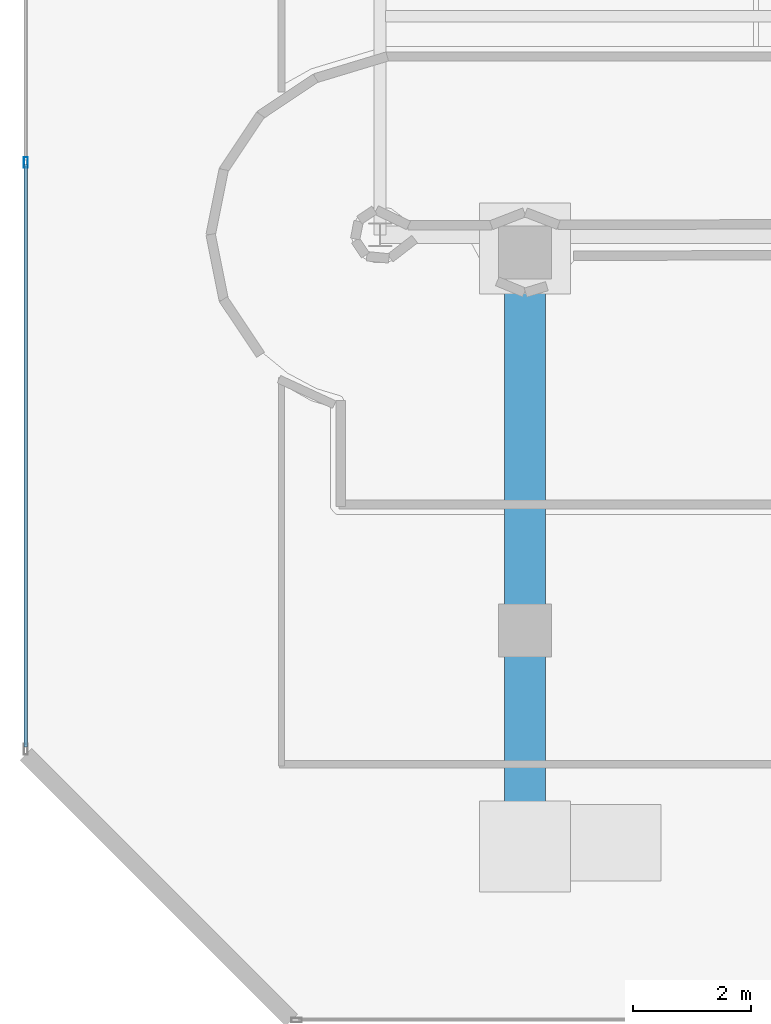
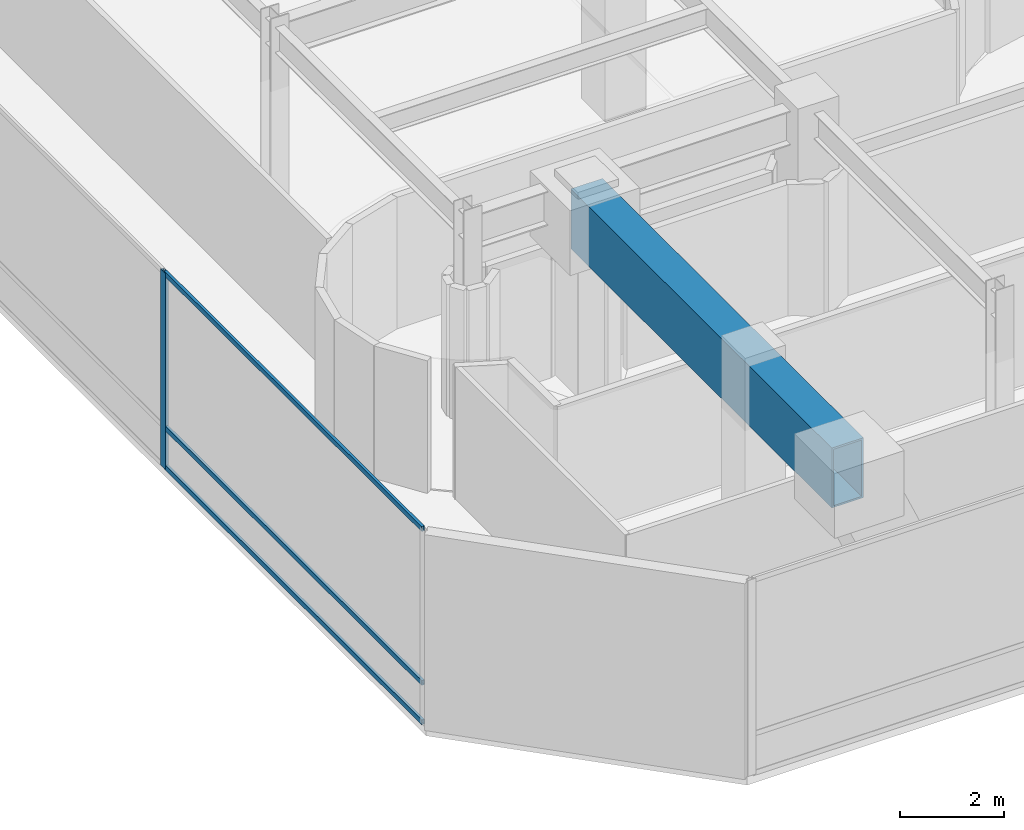
# One storey, part 6 of 45: 4 members, 1 beam, 1 element without a shape of its own.
"""IFC4 building model written with IfcOpenShell, lengths in metres."""

from ifc_helpers import new_model, si_unit, direction, frame, origin, origin_2d, place, context, subcontext, project, spatial, hollow_rectangle, extrude, material, layer, layer_set, material_profile, profile_set, type_object, element, aggregate, save


model = new_model("IFC4")

# Units and contexts
model_context = context("Model", 3, precision=1e-05, world=origin(), true_north=direction((0.0, 1.0)))
body_context = subcontext(model_context, "Body", "Model", "MODEL_VIEW")
ifc_project = project(units=[si_unit("LENGTHUNIT", "METRE"), si_unit("AREAUNIT", "SQUARE_METRE"), si_unit("VOLUMEUNIT", "CUBIC_METRE"), si_unit("PLANEANGLEUNIT", "RADIAN"), si_unit("MASSUNIT", "GRAM", prefix="KILO")], contexts=[model_context])

# Site, building, storey
site_placement = place(None, origin())
site = spatial("IfcSite", under=ifc_project, at=site_placement, CompositionType="ELEMENT")
building_placement = place(site_placement, origin())
building = spatial("IfcBuilding", under=site, at=building_placement, Name="Qianvela Tower", CompositionType="ELEMENT")
storey_placement = place(building_placement, frame((0.0, 0.0, 11.0)))
storey = spatial("IfcBuildingStorey", under=building, at=storey_placement, Name="L02", CompositionType="ELEMENT", Elevation=11.0)

# Beam
ifc_material_1 = material(Name="Steel Q420GJC", Category="steel")
ifc_material_profile_1 = material_profile(ifc_material_1, hollow_rectangle(XDim=0.699951171875, YDim=1.39990234375, WallThickness=0.0400390625, at=origin_2d()), Name="TG-BOX-1400x700x40")
ifc_profile_set_1 = profile_set([ifc_material_profile_1], Name="Steel Q420GJC")
beam_type = type_object("IfcBeamType", Name="BM-TG-STEP-1400", PredefinedType="BEAM", material=ifc_profile_set_1)
beam_placement = place(storey_placement, frame((9.955322265625, 14.5, 3.8779296875), z_axis=(0.0, -1.0, 0.0), x_axis=(1.0, 0.0, 0.0)))
element("IfcBeam", 1, at=beam_placement, inside=storey, type_object=beam_type, Name="L02 Concourse V-Cap Transfer Girder VC-S1-L", PredefinedType="BEAM", context=body_context, shape_type="SweptSolid", body=[
    extrude(hollow_rectangle(XDim=0.699951171875, YDim=1.39990234375, WallThickness=0.0400390625, at=origin_2d()), origin(), (0.0, 0.0, 1.0), 10.0),
])

# Curtain wall, members
ifc_material_2 = material(Name="Anodised Architectural Aluminium and Low-E Glass", Category="aluminium")
ifc_layer = layer(ifc_material_2, 0.179931640625)
ifc_layer_set = layer_set([ifc_layer], Name="Anodised Architectural Aluminium and Low-E Glass")
curtain_wall_type = type_object("IfcCurtainWallType", Name="CW-COMMONS", PredefinedType="USERDEFINED", material=ifc_layer_set)
curtain_wall_placement = place(storey_placement, origin())
curtain_wall = element("IfcCurtainWall", 2, at=curtain_wall_placement, inside=storey, type_object=curtain_wall_type, Name="L02 CW-COMMONS Curtain Wall 07", ObjectType="CURTAIN_WALL_SYSTEM", PredefinedType="USERDEFINED")
ifc_material_3 = material(Name="Anodised Architectural Aluminium 6063-T6", Category="aluminium")
ifc_material_profile_2 = material_profile(ifc_material_3, hollow_rectangle(XDim=0.070068359375, YDim=0.179931640625, WallThickness=0.0048828125, at=origin_2d()), Name="ALU-MULL-70x180")
ifc_profile_set_2 = profile_set([ifc_material_profile_2], Name="Anodised Architectural Aluminium 6063-T6")
member_type_1 = type_object("IfcMemberType", Name="CW-COMMONS-MULL", PredefinedType="MULLION", material=ifc_profile_set_2)
member_1_placement = place(storey_placement, frame((1.5, 16.02490234375, 0.0), z_axis=(0.0, 0.0, 1.0), x_axis=(1.0, 0.0, 0.0)))
member_1 = element("IfcMember", 3, at=member_1_placement, type_object=member_type_1, Name="CW-2 mullion 4", PredefinedType="MULLION", context=body_context, shape_type="SweptSolid", body=[
    extrude(hollow_rectangle(XDim=0.070068359375, YDim=0.179931640625, WallThickness=0.0048828125, at=origin_2d()), origin(), (0.0, 0.0, 1.0), 4.580078125),
])
ifc_material_4 = material(Name="Anodised Architectural Aluminium 6063-T6", Category="aluminium")
ifc_material_profile_3 = material_profile(ifc_material_4, hollow_rectangle(XDim=0.06005859375, YDim=0.114990234375, WallThickness=0.00390625, at=origin_2d()), Name="ALU-TRAN-60x115")
ifc_profile_set_3 = profile_set([ifc_material_profile_3], Name="Anodised Architectural Aluminium 6063-T6")
member_type_2 = type_object("IfcMemberType", Name="CW-COMMONS-TRAN", PredefinedType="USERDEFINED", material=ifc_profile_set_3)
member_2_placement = place(storey_placement, frame((1.5, 15.989990234375, 0.030029296875), z_axis=(0.0, -1.0, 0.0), x_axis=(1.0, 0.0, 0.0)))
member_2 = element("IfcMember", 4, at=member_2_placement, type_object=member_type_2, Name="CW-2 transom 4.1", ObjectType="TRANSOM", PredefinedType="USERDEFINED", context=body_context, shape_type="SweptSolid", body=[
    extrude(hollow_rectangle(XDim=0.06005859375, YDim=0.114990234375, WallThickness=0.00390625, at=origin_2d()), origin(), (0.0, 0.0, 1.0), 9.869873046875),
])
member_3_placement = place(storey_placement, frame((1.5, 15.989990234375, 0.949951171875), z_axis=(0.0, -1.0, 0.0), x_axis=(1.0, 0.0, 0.0)))
member_3 = element("IfcMember", 5, at=member_3_placement, type_object=member_type_2, Name="CW-2 transom 4.2", ObjectType="TRANSOM", PredefinedType="USERDEFINED", context=body_context, shape_type="SweptSolid", body=[
    extrude(hollow_rectangle(XDim=0.06005859375, YDim=0.114990234375, WallThickness=0.00390625, at=origin_2d()), origin(), (0.0, 0.0, 1.0), 9.869873046875),
])
member_4_placement = place(storey_placement, frame((1.5, 15.989990234375, 4.550048828125), z_axis=(0.0, -1.0, 0.0), x_axis=(1.0, 0.0, 0.0)))
member_4 = element("IfcMember", 6, at=member_4_placement, type_object=member_type_2, Name="CW-2 transom 4.3", ObjectType="TRANSOM", PredefinedType="USERDEFINED", context=body_context, shape_type="SweptSolid", body=[
    extrude(hollow_rectangle(XDim=0.06005859375, YDim=0.114990234375, WallThickness=0.00390625, at=origin_2d()), origin(), (0.0, 0.0, 1.0), 9.869873046875),
])
aggregate(curtain_wall, [member_1, member_2, member_3, member_4])

save(model, "model.ifc")
